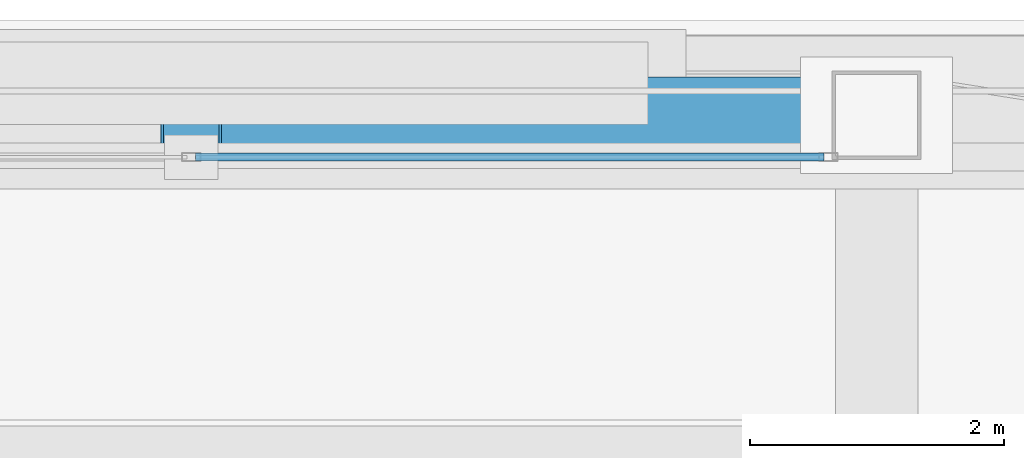
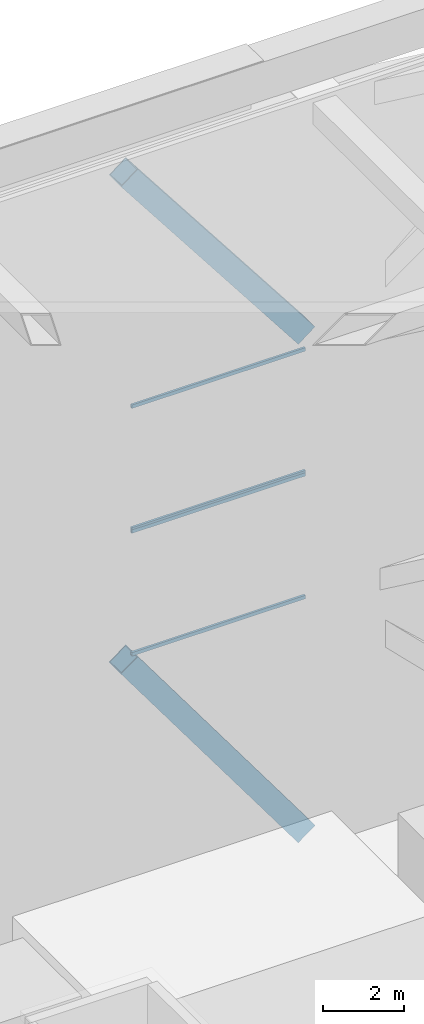
# One storey, part 22 of 28: 6 members, 2 elements without a shape of their own.
"""IFC4 building model written with IfcOpenShell, lengths in metres."""

from ifc_helpers import new_model, si_unit, direction, frame, origin, origin_2d, place, context, subcontext, project, spatial, hollow_rectangle, extrude, material, material_profile, profile_set, type_object, element, aggregate, save


model = new_model("IFC4")

# Units and contexts
model_context = context("Model", 3, precision=1e-05, world=origin(), true_north=direction((0.0, 1.0)))
body_context = subcontext(model_context, "Body", "Model", "MODEL_VIEW")
ifc_project = project(units=[si_unit("LENGTHUNIT", "METRE"), si_unit("AREAUNIT", "SQUARE_METRE"), si_unit("VOLUMEUNIT", "CUBIC_METRE"), si_unit("PLANEANGLEUNIT", "RADIAN"), si_unit("MASSUNIT", "GRAM", prefix="KILO")], contexts=[model_context])

# Site, building, storey
site_placement = place(None, origin())
site = spatial("IfcSite", under=ifc_project, at=site_placement, CompositionType="ELEMENT")
building_placement = place(site_placement, origin())
building = spatial("IfcBuilding", under=site, at=building_placement, Name="Tashvorn Skyway Center", CompositionType="ELEMENT")
storey_placement = place(building_placement, frame((0.0, 0.0, 277.60009765625)))
storey = spatial("IfcBuildingStorey", under=building, at=storey_placement, Name="Roof Level", CompositionType="ELEMENT", Elevation=277.60009765625)

# Curtain wall, members
ifc_material_1 = material(Name="Thermally broken bronze-anodized aluminium 6063-T6", Category="aluminium")
curtain_wall_type = type_object("IfcCurtainWallType", Name="CW-CW-SKY", PredefinedType="NOTDEFINED", material=ifc_material_1)
curtain_wall_1_placement = place(storey_placement, origin())
curtain_wall_1 = element("IfcCurtainWall", 1, at=curtain_wall_1_placement, inside=storey, type_object=curtain_wall_type, Name="CROWN Lantern Fritted Curtain Wall T1 N-3", PredefinedType="NOTDEFINED")
ifc_material_profile_1 = material_profile(ifc_material_1, hollow_rectangle(XDim=0.06494140625, YDim=0.10498046875, WallThickness=0.00390625, at=origin_2d()), Name="ALU-TRAN-65x105")
ifc_profile_set_1 = profile_set([ifc_material_profile_1], Name="Thermally broken bronze-anodized aluminium 6063-T6")
member_type_1 = type_object("IfcMemberType", Name="CWT-CW-SKY", PredefinedType="USERDEFINED", material=ifc_profile_set_1)
member_1_placement = place(storey_placement, frame((42.032470703125, 46.219970703125, 7.5625), z_axis=(1.0, 0.0, 0.0), x_axis=(0.0, 1.0, 0.0)))
member_1 = element("IfcMember", 2, at=member_1_placement, type_object=member_type_1, Name="CW-SKY transom 2.1", ObjectType="TRANSOM", PredefinedType="USERDEFINED", context=body_context, shape_type="SweptSolid", body=[
    extrude(hollow_rectangle(XDim=0.06494140625, YDim=0.10498046875, WallThickness=0.00390625, at=origin_2d()), origin(), (0.0, 0.0, 1.0), 4.95263671875),
])
member_2_placement = place(storey_placement, frame((42.032470703125, 46.219970703125, 11.262451171875), z_axis=(1.0, 0.0, 0.0), x_axis=(0.0, 1.0, 0.0)))
member_2 = element("IfcMember", 3, at=member_2_placement, type_object=member_type_1, Name="CW-SKY transom 2.2", ObjectType="TRANSOM", PredefinedType="USERDEFINED", context=body_context, shape_type="SweptSolid", body=[
    extrude(hollow_rectangle(XDim=0.06494140625, YDim=0.10498046875, WallThickness=0.00390625, at=origin_2d()), origin(), (0.0, 0.0, 1.0), 4.95263671875),
])
aggregate(curtain_wall_1, [member_1, member_2])

curtain_wall_2_placement = place(storey_placement, origin())
curtain_wall_2 = element("IfcCurtainWall", 4, at=curtain_wall_2_placement, inside=storey, type_object=curtain_wall_type, Name="CROWN Lantern Fritted Curtain Wall T1 N-4", PredefinedType="NOTDEFINED")
member_3_placement = place(storey_placement, frame((42.032470703125, 46.219970703125, 11.327392578125), z_axis=(1.0, 0.0, 0.0), x_axis=(0.0, 1.0, 0.0)))
member_3 = element("IfcMember", 5, at=member_3_placement, type_object=member_type_1, Name="CW-SKY transom 2.1", ObjectType="TRANSOM", PredefinedType="USERDEFINED", context=body_context, shape_type="SweptSolid", body=[
    extrude(hollow_rectangle(XDim=0.06494140625, YDim=0.10498046875, WallThickness=0.00390625, at=origin_2d()), origin(), (0.0, 0.0, 1.0), 4.95263671875),
])
member_4_placement = place(storey_placement, frame((42.032470703125, 46.219970703125, 15.02734375), z_axis=(1.0, 0.0, 0.0), x_axis=(0.0, 1.0, 0.0)))
member_4 = element("IfcMember", 6, at=member_4_placement, type_object=member_type_1, Name="CW-SKY transom 2.2", ObjectType="TRANSOM", PredefinedType="USERDEFINED", context=body_context, shape_type="SweptSolid", body=[
    extrude(hollow_rectangle(XDim=0.06494140625, YDim=0.10498046875, WallThickness=0.00390625, at=origin_2d()), origin(), (0.0, 0.0, 1.0), 4.95263671875),
])
aggregate(curtain_wall_2, [member_3, member_4])

# Members
ifc_material_2 = material(Name="Steel ASTM A572 Grade 50", Category="steel")
ifc_material_profile_2 = material_profile(ifc_material_2, hollow_rectangle(XDim=0.60009765625, YDim=0.60009765625, WallThickness=0.02490234375, at=origin_2d()), Name="BOX600x600x25")
ifc_profile_set_2 = profile_set([ifc_material_profile_2], Name="Steel ASTM A572 Grade 50")
member_type_2 = type_object("IfcMemberType", Name="MEM-CF-BRC-600", PredefinedType="BRACE", material=ifc_profile_set_2)
member_5_placement = place(storey_placement, frame((47.054931640625, 46.550048828125, 0.349853515625), z_axis=(-0.593207833758, 0.0, 0.805049356231), x_axis=(0.0, -1.0, 0.0)))
element("IfcMember", 7, at=member_5_placement, inside=storey, type_object=member_type_2, Name="CROWN FRAME Tower 1 Tier-1 Chevron Brace 08A", PredefinedType="BRACE", context=body_context, shape_type="SweptSolid", body=[
    extrude(hollow_rectangle(XDim=0.60009765625, YDim=0.60009765625, WallThickness=0.02490234375, at=origin_2d()), origin(), (0.0, 0.0, 1.0), 8.521240234375),
])
member_6_placement = place(storey_placement, frame((47.054931640625, 46.550048828125, 15.3798828125), z_axis=(-0.612716787586, 0.0, 0.790302561182), x_axis=(0.0, -1.0, 0.0)))
element("IfcMember", 8, at=member_6_placement, inside=storey, type_object=member_type_2, Name="CROWN FRAME Tower 1 Tier-3 Chevron Brace 08A", PredefinedType="BRACE", context=body_context, shape_type="SweptSolid", body=[
    extrude(hollow_rectangle(XDim=0.60009765625, YDim=0.60009765625, WallThickness=0.02490234375, at=origin_2d()), origin(), (0.0, 0.0, 1.0), 8.25),
])

save(model, "model.ifc")
